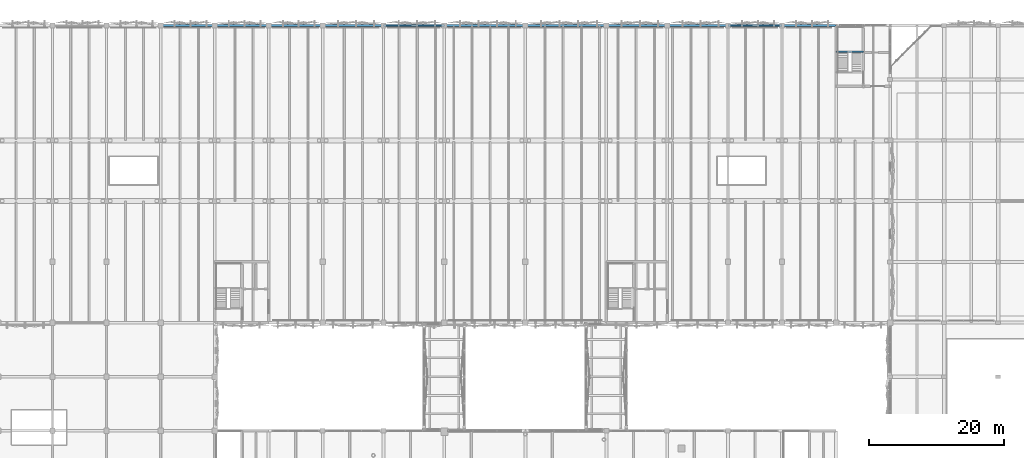
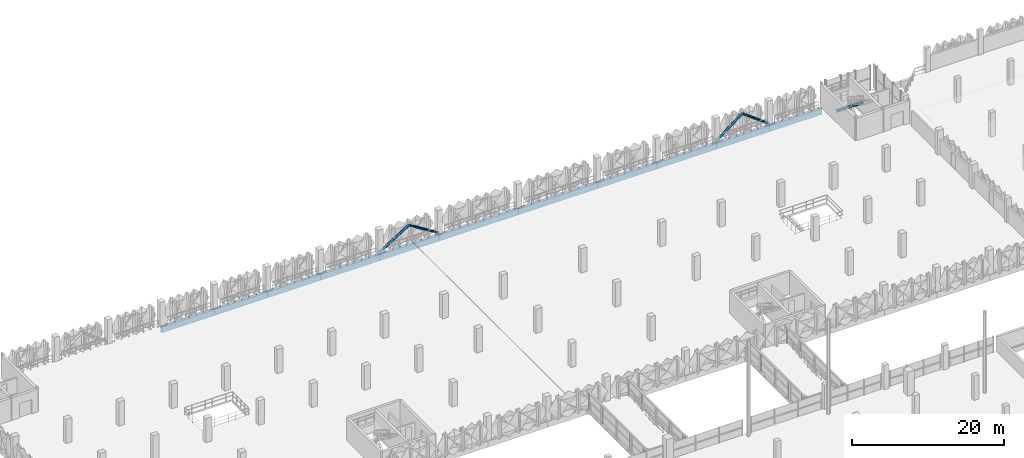
# One storey, part 57 of 123: 12 beams, 4 members.
"""IFC4 building model written with IfcOpenShell, lengths in metres."""

from ifc_helpers import new_model, si_unit, derived_unit, direction, frame, origin, origin_2d, place, context, subcontext, project, spatial, rectangle, hollow_circle, i_section, extrude, material, material_profile, profile_set, type_object, element, save


model = new_model("IFC4")

# Units and contexts
model_context = context("Model", 3, precision=1e-05, world=origin(), true_north=direction((0.0, 1.0)))
body_context = subcontext(model_context, "Body", "Model", "MODEL_VIEW")
ifc_project = project(units=[si_unit("LENGTHUNIT", "METRE"), si_unit("AREAUNIT", "SQUARE_METRE"), si_unit("VOLUMEUNIT", "CUBIC_METRE"), si_unit("PLANEANGLEUNIT", "RADIAN"), si_unit("MASSUNIT", "GRAM", prefix="KILO"), si_unit("THERMODYNAMICTEMPERATUREUNIT", "KELVIN"), derived_unit("THERMALTRANSMITTANCEUNIT", [(si_unit("POWERUNIT", "WATT"), 1), (si_unit("AREAUNIT", "SQUARE_METRE"), -1), (si_unit("THERMODYNAMICTEMPERATUREUNIT", "KELVIN"), -1)])], contexts=[model_context])

# Site, building, storey
site_placement = place(None, origin())
site = spatial("IfcSite", under=ifc_project, at=site_placement, CompositionType="ELEMENT")
building_placement = place(site_placement, origin())
building = spatial("IfcBuilding", under=site, at=building_placement, Name="Haiyu Intermodal Mobility Hub", CompositionType="ELEMENT")
storey_placement = place(building_placement, frame((0.0, 0.0, 5.60009765625)))
storey = spatial("IfcBuildingStorey", under=building, at=storey_placement, Name="L01", CompositionType="ELEMENT", Elevation=5.60009765625)

# Beams
ifc_material_1 = material(Name="Steel Q355C", Category="steel")
ifc_material_profile_1 = material_profile(ifc_material_1, i_section(OverallWidth=0.199951171875, OverallDepth=0.39990234375, WebThickness=0.008056640625, FlangeThickness=0.012939453125, FilletRadius=0.01611328125, at=origin_2d()), Name="HN400x200x8x13")
ifc_profile_set_1 = profile_set([ifc_material_profile_1], Name="Steel Q355C")
beam_type_1 = type_object("IfcBeamType", Name="BM-SB08", PredefinedType="JOIST", material=ifc_profile_set_1)
beam_placement = place(storey_placement, frame((154.0, 144.1298828125, 1.52490234375), z_axis=(1.0, 0.0, 0.0), x_axis=(0.0, 1.0, 0.0)))
element("IfcBeam", 1, at=beam_placement, inside=storey, type_object=beam_type_1, Name="Stair Half-Landing Front Beam C4-L01", PredefinedType="JOIST", context=body_context, shape_type="SweptSolid", body=[
    extrude(i_section(OverallWidth=0.199951171875, OverallDepth=0.39990234375, WebThickness=0.008056640625, FlangeThickness=0.012939453125, FilletRadius=0.01611328125, at=origin_2d()), origin(), (0.0, 0.0, 1.0), 4.050048828125),
])
ifc_material_2 = material(Name="Precast concrete C40", Category="concrete")
ifc_material_profile_2 = material_profile(ifc_material_2, rectangle(XDim=0.35009765625, YDim=0.949951171875, at=origin_2d()), Name="PC350x950")
ifc_profile_set_2 = profile_set([ifc_material_profile_2], Name="Precast concrete C40")
beam_type_2 = type_object("IfcBeamType", Name="BM-SP01", PredefinedType="SPANDREL", material=ifc_profile_set_2)
for number, where, z_axis, x_axis, name in (
    (2, (54.0, 148.0, -0.75), (1.0, 0.0, 0.0), (0.0, 1.0, 0.0), "BM-V4G-L01-053"),
    (3, (62.0, 148.0, -0.75), (1.0, 0.0, 0.0), (0.0, 1.0, 0.0), "BM-V4G-L01-054"),
    (4, (70.0, 148.0, -0.75), (1.0, 0.0, 0.0), (0.0, 1.0, 0.0), "BM-V4G-L01-055"),
):
    element("IfcBeam", number, at=place(storey_placement, frame(where, z_axis=z_axis, x_axis=x_axis)), inside=storey, type_object=beam_type_2, Name=name, PredefinedType="SPANDREL", context=body_context, shape_type="SweptSolid", body=[
        extrude(rectangle(XDim=0.35009765625, YDim=0.949951171875, at=origin_2d()), origin(), (0.0, 0.0, 1.0), 8.0),
    ])
for number, where, z_axis, x_axis, name in (
    (5, (78.0, 148.0, -0.75), (1.0, 0.0, 0.0), (0.0, 1.0, 0.0), "BM-V4G-L01-056"),
    (6, (87.0, 148.0, -0.75), (1.0, 0.0, 0.0), (0.0, 1.0, 0.0), "BM-V4G-L01-057"),
):
    element("IfcBeam", number, at=place(storey_placement, frame(where, z_axis=z_axis, x_axis=x_axis)), inside=storey, type_object=beam_type_2, Name=name, PredefinedType="SPANDREL", context=body_context, shape_type="SweptSolid", body=[
        extrude(rectangle(XDim=0.35009765625, YDim=0.949951171875, at=origin_2d()), origin(), (0.0, 0.0, 1.0), 9.0),
    ])
for number, where, z_axis, x_axis, name in (
    (7, (96.0, 148.0, -0.75), (1.0, 0.0, 0.0), (0.0, 1.0, 0.0), "BM-V4G-L01-058"),
    (8, (108.0, 148.0, -0.75), (1.0, 0.0, 0.0), (0.0, 1.0, 0.0), "BM-V4G-L01-059"),
):
    element("IfcBeam", number, at=place(storey_placement, frame(where, z_axis=z_axis, x_axis=x_axis)), inside=storey, type_object=beam_type_2, Name=name, PredefinedType="SPANDREL", context=body_context, shape_type="SweptSolid", body=[
        extrude(rectangle(XDim=0.35009765625, YDim=0.949951171875, at=origin_2d()), origin(), (0.0, 0.0, 1.0), 12.0),
    ])
for number, where, z_axis, x_axis, name in (
    (9, (120.0, 148.0, -0.75), (1.0, 0.0, 0.0), (0.0, 1.0, 0.0), "BM-V4G-L01-060"),
    (10, (129.0, 148.0, -0.75), (1.0, 0.0, 0.0), (0.0, 1.0, 0.0), "BM-V4G-L01-061"),
):
    element("IfcBeam", number, at=place(storey_placement, frame(where, z_axis=z_axis, x_axis=x_axis)), inside=storey, type_object=beam_type_2, Name=name, PredefinedType="SPANDREL", context=body_context, shape_type="SweptSolid", body=[
        extrude(rectangle(XDim=0.35009765625, YDim=0.949951171875, at=origin_2d()), origin(), (0.0, 0.0, 1.0), 9.0),
    ])
for number, where, z_axis, x_axis, name in (
    (11, (138.0, 148.0, -0.75), (1.0, 0.0, 0.0), (0.0, 1.0, 0.0), "BM-V4G-L01-062"),
    (12, (146.0, 148.0, -0.75), (1.0, 0.0, 0.0), (0.0, 1.0, 0.0), "BM-V4G-L01-063"),
):
    element("IfcBeam", number, at=place(storey_placement, frame(where, z_axis=z_axis, x_axis=x_axis)), inside=storey, type_object=beam_type_2, Name=name, PredefinedType="SPANDREL", context=body_context, shape_type="SweptSolid", body=[
        extrude(rectangle(XDim=0.35009765625, YDim=0.949951171875, at=origin_2d()), origin(), (0.0, 0.0, 1.0), 8.0),
    ])

# Members
ifc_material_profile_3 = material_profile(ifc_material_1, hollow_circle(Radius=0.177978515625, WallThickness=0.011962890625, at=origin_2d()), Name="CHS356x12")
ifc_profile_set_3 = profile_set([ifc_material_profile_3], Name="Steel Q355C")
member_type = type_object("IfcMemberType", Name="MEM-BR01", PredefinedType="BRACE", material=ifc_profile_set_3)
for number, where, z_axis, x_axis, name in (
    (13, (87.0, 148.0, 0.0), (0.845680731449, 0.0, 0.533689142156), (0.0, 1.0, 0.0), "Seismic Chevron Brace B2-L01-A"),
    (14, (96.0, 148.0, 0.0), (-0.845680731449, 0.0, 0.533689142156), (0.0, -1.0, 0.0), "Seismic Chevron Brace B2-L01-B"),
):
    element("IfcMember", number, at=place(storey_placement, frame(where, z_axis=z_axis, x_axis=x_axis)), inside=storey, type_object=member_type, Name=name, PredefinedType="BRACE", context=body_context, shape_type="SweptSolid", body=[
        extrude(hollow_circle(Radius=0.177978515625, WallThickness=0.011962890625, at=origin_2d()), origin(), (0.0, 0.0, 1.0), 5.321044921875),
    ])
for number, where, z_axis, x_axis, name in (
    (15, (138.0, 148.0, 0.0), (0.8, 0.0, 0.6), (0.0, 1.0, 0.0), "Seismic Chevron Brace B3-L01-A"),
    (16, (146.0, 148.0, 0.0), (-0.8, 0.0, 0.6), (0.0, -1.0, 0.0), "Seismic Chevron Brace B3-L01-B"),
):
    element("IfcMember", number, at=place(storey_placement, frame(where, z_axis=z_axis, x_axis=x_axis)), inside=storey, type_object=member_type, Name=name, PredefinedType="BRACE", context=body_context, shape_type="SweptSolid", body=[
        extrude(hollow_circle(Radius=0.177978515625, WallThickness=0.011962890625, at=origin_2d()), origin(), (0.0, 0.0, 1.0), 5.0),
    ])

save(model, "model.ifc")
